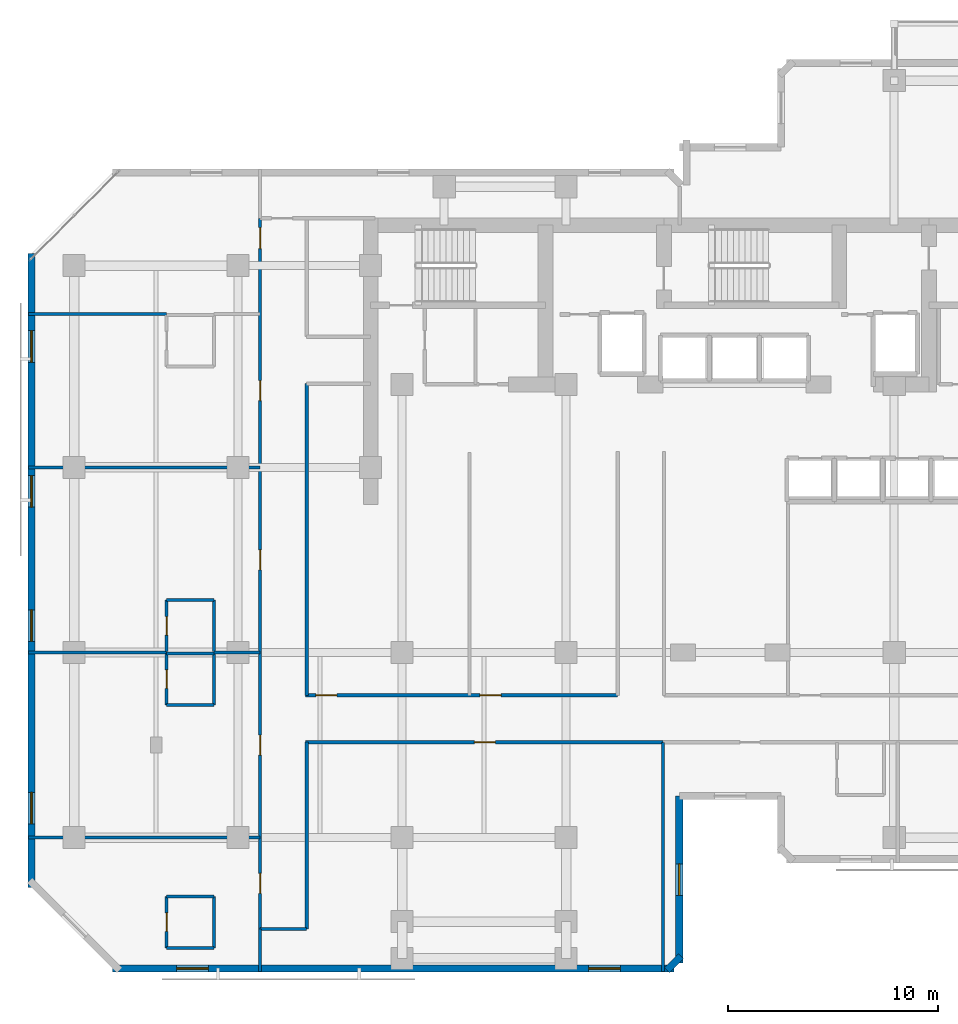
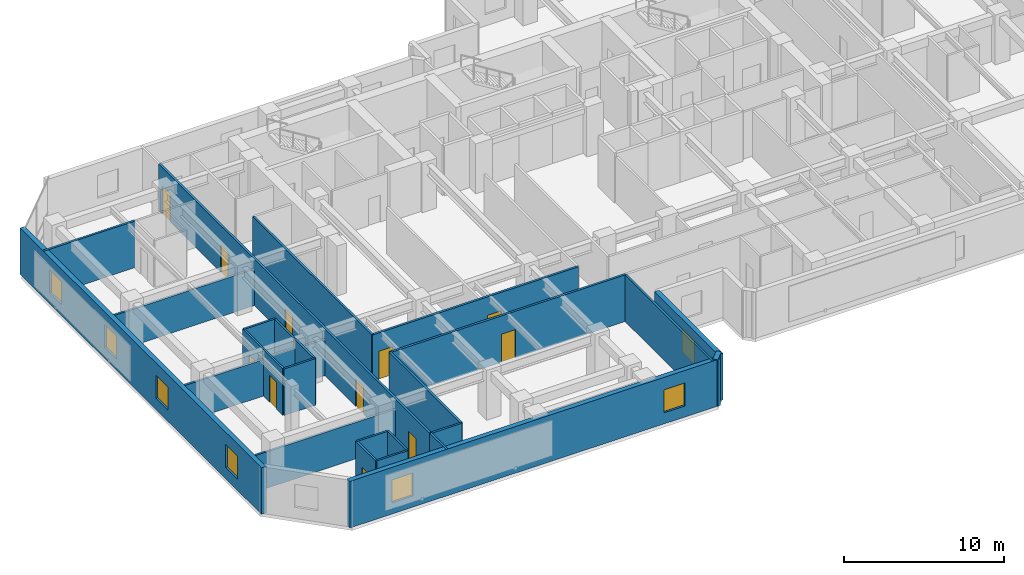
# One storey, part 4 of 10: 28 walls, 11 doors, 7 windows, 18 openings.
"""IFC4 building model written with IfcOpenShell, lengths in metres."""

from ifc_helpers import new_model, si_unit, direction, frame, frame_2d, origin, place, context, subcontext, project, spatial, rectangle, extrude, material, layer, layer_set, type_object, element, fill, save


model = new_model("IFC4")

# Units and contexts
model_context = context("Model", 3, precision=1e-05, world=origin(), true_north=direction((0.0, 1.0)))
body_context = subcontext(model_context, "Body", "Model", "MODEL_VIEW")
ifc_project = project(units=[si_unit("LENGTHUNIT", "METRE"), si_unit("AREAUNIT", "SQUARE_METRE"), si_unit("VOLUMEUNIT", "CUBIC_METRE"), si_unit("PLANEANGLEUNIT", "RADIAN"), si_unit("MASSUNIT", "GRAM", prefix="KILO")], contexts=[model_context])

# Site, building, storey
site_placement = place(None, origin())
site = spatial("IfcSite", under=ifc_project, at=site_placement, CompositionType="ELEMENT")
building_placement = place(site_placement, origin())
building = spatial("IfcBuilding", under=site, at=building_placement, Name="Kestravale Grand Hotel", CompositionType="ELEMENT")
storey_placement = place(building_placement, frame((0.0, 0.0, 149.800048828125)))
storey = spatial("IfcBuildingStorey", under=building, at=storey_placement, Name="L37", CompositionType="ELEMENT", Elevation=149.800048828125)

# Wall, openings, windows
ifc_material_1 = material(Name="Precast concrete f'c 45 MPa", Category="concrete")
ifc_layer_1 = layer(ifc_material_1, 0.340087890625)
ifc_layer_set_1 = layer_set([ifc_layer_1], Name="EW-PREC-340")
wall_type_1 = type_object("IfcWallType", Name="EW-PREC-340", PredefinedType="SOLIDWALL", material=ifc_layer_set_1)
wall_1_placement = place(storey_placement, frame((9.6298828125, 4.969970703125, 0.0), z_axis=(0.0, 0.0, 1.0), x_axis=(1.0, 0.0, 0.0)))
wall_1 = element("IfcWall", 1, at=wall_1_placement, inside=storey, type_object=wall_type_1, Name="L37 fluted precast facade wall 1", PredefinedType="SOLIDWALL", context=body_context, shape_type="SweptSolid", body=[
    extrude(rectangle(XDim=26.690185546875, YDim=0.340087890625, at=frame_2d((13.34521484375, 0.0))), origin(), (0.0, 0.0, 1.0), 3.550048828125),
])
opening_1_placement = place(wall_1_placement, frame((3.04833984375, 0.0, 0.85009765625)))
opening_1 = element("IfcOpeningElement", 2, at=opening_1_placement, cuts=wall_1, Name="Opening W-GUEST-1500", PredefinedType="OPENING", context=body_context, shape_type="SweptSolid", body=[
    extrude(rectangle(XDim=1.5, YDim=1.75, at=frame_2d((0.75, 0.875))), frame((0.0, 0.179931640625, 0.0), z_axis=(0.0, -1.0, 0.0), x_axis=(1.0, 0.0, 0.0)), (0.0, 0.0, 1.0), 0.360107421875),
])
opening_2_placement = place(wall_1_placement, frame((22.6416015625, 0.0, 0.85009765625)))
opening_2 = element("IfcOpeningElement", 3, at=opening_2_placement, cuts=wall_1, Name="Opening W-GUEST-1500", PredefinedType="OPENING", context=body_context, shape_type="SweptSolid", body=[
    extrude(rectangle(XDim=1.5, YDim=1.75, at=frame_2d((0.75, 0.875))), frame((0.0, 0.179931640625, 0.0), z_axis=(0.0, -1.0, 0.0), x_axis=(1.0, 0.0, 0.0)), (0.0, 0.0, 1.0), 0.360107421875),
])
ifc_material_2 = material(Name="Insulated low-E double glazing in aluminium frame", Category="aluminium")
window_type = type_object("IfcWindowType", Name="W-GUEST-1500", PartitioningType="SINGLE_PANEL", PredefinedType="WINDOW", material=ifc_material_2)
window_1_placement = place(opening_1_placement, origin())
window_1 = element("IfcWindow", 4, at=window_1_placement, inside=storey, type_object=window_type, Name="L37 exterior window 1.1", OverallHeight=1.75, OverallWidth=1.5, PartitioningType="SINGLE_PANEL", PredefinedType="WINDOW", context=body_context, shape_type="SweptSolid", body=[
    extrude(rectangle(XDim=1.5, YDim=1.75, at=frame_2d((0.75, 0.875))), frame((0.0, 0.030029296875, 0.0), z_axis=(0.0, -1.0, 0.0), x_axis=(1.0, 0.0, 0.0)), (0.0, 0.0, 1.0), 0.06005859375),
])
fill(opening_1, window_1)
window_2_placement = place(opening_2_placement, origin())
window_2 = element("IfcWindow", 5, at=window_2_placement, inside=storey, type_object=window_type, Name="L37 exterior window 1.2", OverallHeight=1.75, OverallWidth=1.5, PartitioningType="SINGLE_PANEL", PredefinedType="WINDOW", context=body_context, shape_type="SweptSolid", body=[
    extrude(rectangle(XDim=1.5, YDim=1.75, at=frame_2d((0.75, 0.875))), frame((0.0, 0.030029296875, 0.0), z_axis=(0.0, -1.0, 0.0), x_axis=(1.0, 0.0, 0.0)), (0.0, 0.0, 1.0), 0.06005859375),
])
fill(opening_2, window_2)

# Wall
wall_2_placement = place(storey_placement, frame((36.00146484375, 4.891845703125, 0.0), z_axis=(0.0, 0.0, 1.0), x_axis=(0.707106781187, 0.707106781187, 0.0)))
element("IfcWall", 6, at=wall_2_placement, inside=storey, type_object=wall_type_1, Name="L37 fluted precast facade wall 2", PredefinedType="SOLIDWALL", context=body_context, shape_type="SweptSolid", body=[
    extrude(rectangle(XDim=0.9287109375, YDim=0.340087890625, at=frame_2d((0.46435546875, 0.0))), origin(), (0.0, 0.0, 1.0), 3.550048828125),
])

# Wall, opening, window
wall_3_placement = place(storey_placement, frame((36.580078125, 5.22998046875, 0.0), z_axis=(0.0, 0.0, 1.0), x_axis=(0.0, 1.0, 0.0)))
wall_3 = element("IfcWall", 7, at=wall_3_placement, inside=storey, type_object=wall_type_1, Name="L37 fluted precast facade wall 3", PredefinedType="SOLIDWALL", context=body_context, shape_type="SweptSolid", body=[
    extrude(rectangle(XDim=7.93994140625, YDim=0.340087890625, at=frame_2d((3.969970703125, 0.0))), origin(), (0.0, 0.0, 1.0), 3.550048828125),
])
opening_3_placement = place(wall_3_placement, frame((3.219970703125, 0.0, 0.85009765625)))
opening_3 = element("IfcOpeningElement", 8, at=opening_3_placement, cuts=wall_3, Name="Opening W-GUEST-1500", PredefinedType="OPENING", context=body_context, shape_type="SweptSolid", body=[
    extrude(rectangle(XDim=1.5, YDim=1.75, at=frame_2d((0.75, 0.875))), frame((0.0, 0.179931640625, 0.0), z_axis=(0.0, -1.0, 0.0), x_axis=(1.0, 0.0, 0.0)), (0.0, 0.0, 1.0), 0.360107421875),
])
window_3_placement = place(opening_3_placement, origin())
window_3 = element("IfcWindow", 9, at=window_3_placement, inside=storey, type_object=window_type, Name="L37 exterior window 3.1", OverallHeight=1.75, OverallWidth=1.5, PartitioningType="SINGLE_PANEL", PredefinedType="WINDOW", context=body_context, shape_type="SweptSolid", body=[
    extrude(rectangle(XDim=1.5, YDim=1.75, at=frame_2d((0.75, 0.875))), frame((0.0, 0.030029296875, 0.0), z_axis=(0.0, -1.0, 0.0), x_axis=(1.0, 0.0, 0.0)), (0.0, 0.0, 1.0), 0.06005859375),
])
fill(opening_3, window_3)

# Wall, openings, windows
wall_4_placement = place(storey_placement, frame((5.77001953125, 38.969970703125, 0.0), z_axis=(0.0, 0.0, 1.0), x_axis=(0.0, -1.0, 0.0)))
wall_4 = element("IfcWall", 10, at=wall_4_placement, inside=storey, type_object=wall_type_1, Name="L37 fluted precast facade wall 19", PredefinedType="SOLIDWALL", context=body_context, shape_type="SweptSolid", body=[
    extrude(rectangle(XDim=30.139892578125, YDim=0.340087890625, at=frame_2d((15.06982421875, 0.0))), origin(), (0.0, 0.0, 1.0), 3.550048828125),
])
opening_4_placement = place(wall_4_placement, frame((3.66748046875, 0.0, 0.85009765625)))
opening_4 = element("IfcOpeningElement", 11, at=opening_4_placement, cuts=wall_4, Name="Opening W-GUEST-1500", PredefinedType="OPENING", context=body_context, shape_type="SweptSolid", body=[
    extrude(rectangle(XDim=1.5, YDim=1.75, at=frame_2d((0.75, 0.875))), frame((0.0, 0.179931640625, 0.0), z_axis=(0.0, -1.0, 0.0), x_axis=(1.0, 0.0, 0.0)), (0.0, 0.0, 1.0), 0.360107421875),
])
opening_5_placement = place(wall_4_placement, frame((10.552490234375, 0.0, 0.85009765625)))
opening_5 = element("IfcOpeningElement", 12, at=opening_5_placement, cuts=wall_4, Name="Opening W-GUEST-1500", PredefinedType="OPENING", context=body_context, shape_type="SweptSolid", body=[
    extrude(rectangle(XDim=1.5, YDim=1.75, at=frame_2d((0.75, 0.875))), frame((0.0, 0.179931640625, 0.0), z_axis=(0.0, -1.0, 0.0), x_axis=(1.0, 0.0, 0.0)), (0.0, 0.0, 1.0), 0.360107421875),
])
opening_6_placement = place(wall_4_placement, frame((16.9375, 0.0, 0.85009765625)))
opening_6 = element("IfcOpeningElement", 13, at=opening_6_placement, cuts=wall_4, Name="Opening W-GUEST-1500", PredefinedType="OPENING", context=body_context, shape_type="SweptSolid", body=[
    extrude(rectangle(XDim=1.5, YDim=1.75, at=frame_2d((0.75, 0.875))), frame((0.0, 0.179931640625, 0.0), z_axis=(0.0, -1.0, 0.0), x_axis=(1.0, 0.0, 0.0)), (0.0, 0.0, 1.0), 0.360107421875),
])
opening_7_placement = place(wall_4_placement, frame((25.62255859375, 0.0, 0.85009765625)))
opening_7 = element("IfcOpeningElement", 14, at=opening_7_placement, cuts=wall_4, Name="Opening W-GUEST-1500", PredefinedType="OPENING", context=body_context, shape_type="SweptSolid", body=[
    extrude(rectangle(XDim=1.5, YDim=1.75, at=frame_2d((0.75, 0.875))), frame((0.0, 0.179931640625, 0.0), z_axis=(0.0, -1.0, 0.0), x_axis=(1.0, 0.0, 0.0)), (0.0, 0.0, 1.0), 0.360107421875),
])
window_4_placement = place(opening_4_placement, origin())
window_4 = element("IfcWindow", 15, at=window_4_placement, inside=storey, type_object=window_type, Name="L37 exterior window 19.1", OverallHeight=1.75, OverallWidth=1.5, PartitioningType="SINGLE_PANEL", PredefinedType="WINDOW", context=body_context, shape_type="SweptSolid", body=[
    extrude(rectangle(XDim=1.5, YDim=1.75, at=frame_2d((0.75, 0.875))), frame((0.0, 0.030029296875, 0.0), z_axis=(0.0, -1.0, 0.0), x_axis=(1.0, 0.0, 0.0)), (0.0, 0.0, 1.0), 0.06005859375),
])
fill(opening_4, window_4)
window_5_placement = place(opening_5_placement, origin())
window_5 = element("IfcWindow", 16, at=window_5_placement, inside=storey, type_object=window_type, Name="L37 exterior window 19.2", OverallHeight=1.75, OverallWidth=1.5, PartitioningType="SINGLE_PANEL", PredefinedType="WINDOW", context=body_context, shape_type="SweptSolid", body=[
    extrude(rectangle(XDim=1.5, YDim=1.75, at=frame_2d((0.75, 0.875))), frame((0.0, 0.030029296875, 0.0), z_axis=(0.0, -1.0, 0.0), x_axis=(1.0, 0.0, 0.0)), (0.0, 0.0, 1.0), 0.06005859375),
])
fill(opening_5, window_5)
window_6_placement = place(opening_6_placement, origin())
window_6 = element("IfcWindow", 17, at=window_6_placement, inside=storey, type_object=window_type, Name="L37 exterior window 19.3", OverallHeight=1.75, OverallWidth=1.5, PartitioningType="SINGLE_PANEL", PredefinedType="WINDOW", context=body_context, shape_type="SweptSolid", body=[
    extrude(rectangle(XDim=1.5, YDim=1.75, at=frame_2d((0.75, 0.875))), frame((0.0, 0.030029296875, 0.0), z_axis=(0.0, -1.0, 0.0), x_axis=(1.0, 0.0, 0.0)), (0.0, 0.0, 1.0), 0.06005859375),
])
fill(opening_6, window_6)
window_7_placement = place(opening_7_placement, origin())
window_7 = element("IfcWindow", 18, at=window_7_placement, inside=storey, type_object=window_type, Name="L37 exterior window 19.4", OverallHeight=1.75, OverallWidth=1.5, PartitioningType="SINGLE_PANEL", PredefinedType="WINDOW", context=body_context, shape_type="SweptSolid", body=[
    extrude(rectangle(XDim=1.5, YDim=1.75, at=frame_2d((0.75, 0.875))), frame((0.0, 0.030029296875, 0.0), z_axis=(0.0, -1.0, 0.0), x_axis=(1.0, 0.0, 0.0)), (0.0, 0.0, 1.0), 0.06005859375),
])
fill(opening_7, window_7)

# Wall, openings, doors
ifc_material_3 = material(Name="Acoustic fire-rated gypsum board partition", Category="other")
ifc_layer_2 = layer(ifc_material_3, 0.159912109375)
ifc_layer_set_2 = layer_set([ifc_layer_2], Name="IW-CORR-160")
wall_type_2 = type_object("IfcWallType", Name="IW-CORR-160", PredefinedType="PARTITIONING", material=ifc_layer_set_2)
wall_5_placement = place(storey_placement, frame((18.800048828125, 17.9599609375, 0.0), z_axis=(0.0, 0.0, 1.0), x_axis=(1.0, 0.0, 0.0)))
wall_5 = element("IfcWall", 19, at=wall_5_placement, inside=storey, type_object=wall_type_2, Name="W-L37-CW-N", PredefinedType="PARTITIONING", context=body_context, shape_type="SweptSolid", body=[
    extrude(rectangle(XDim=14.849853515625, YDim=0.159912109375, at=frame_2d((7.4248046875, 0.0))), origin(), (0.0, 0.0, 1.0), 3.550048828125),
])
opening_8_placement = place(wall_5_placement, frame((0.5, 0.0, 0.0)))
opening_8 = element("IfcOpeningElement", 20, at=opening_8_placement, cuts=wall_5, Name="Opening D-GUEST-1000", PredefinedType="OPENING", context=body_context, shape_type="SweptSolid", body=[
    extrude(rectangle(XDim=1.0, YDim=2.14990234375, at=frame_2d((0.5, 1.074951171875))), frame((0.0, 0.08984375, 0.0), z_axis=(0.0, -1.0, 0.0), x_axis=(1.0, 0.0, 0.0)), (0.0, 0.0, 1.0), 0.179931640625),
])
opening_9_placement = place(wall_5_placement, frame((8.300048828125, 0.0, 0.0)))
opening_9 = element("IfcOpeningElement", 21, at=opening_9_placement, cuts=wall_5, Name="Opening D-GUEST-1000", PredefinedType="OPENING", context=body_context, shape_type="SweptSolid", body=[
    extrude(rectangle(XDim=1.0, YDim=2.14990234375, at=frame_2d((0.5, 1.074951171875))), frame((0.0, 0.08984375, 0.0), z_axis=(0.0, -1.0, 0.0), x_axis=(1.0, 0.0, 0.0)), (0.0, 0.0, 1.0), 0.179931640625),
])
ifc_material_4 = material(Name="Accessible walnut veneer hotel entrance fire door", Category="wood")
door_type_1 = type_object("IfcDoorType", Name="D-GUEST-1000", OperationType="NOTDEFINED", PredefinedType="DOOR", material=ifc_material_4)
door_1_placement = place(opening_8_placement, origin())
door_1 = element("IfcDoor", 22, at=door_1_placement, inside=storey, type_object=door_type_1, Name="D-L37-RECL-W1", OperationType="SINGLE_SWING_LEFT", OverallHeight=2.14990234375, OverallWidth=1.0, PredefinedType="DOOR", context=body_context, shape_type="SweptSolid", body=[
    extrude(rectangle(XDim=1.0, YDim=2.14990234375, at=frame_2d((0.5, 1.074951171875))), frame((0.0, 0.02490234375, 0.0), z_axis=(0.0, -1.0, 0.0), x_axis=(1.0, 0.0, 0.0)), (0.0, 0.0, 1.0), 0.050048828125),
])
fill(opening_8, door_1)
door_2_placement = place(opening_9_placement, origin())
door_2 = element("IfcDoor", 23, at=door_2_placement, inside=storey, type_object=door_type_1, Name="D-L37-RECL-W2", OperationType="SINGLE_SWING_RIGHT", OverallHeight=2.14990234375, OverallWidth=1.0, PredefinedType="DOOR", context=body_context, shape_type="SweptSolid", body=[
    extrude(rectangle(XDim=1.0, YDim=2.14990234375, at=frame_2d((0.5, 1.074951171875))), frame((0.0, 0.02490234375, 0.0), z_axis=(0.0, -1.0, 0.0), x_axis=(1.0, 0.0, 0.0)), (0.0, 0.0, 1.0), 0.050048828125),
])
fill(opening_9, door_2)

# Wall, opening, door
wall_6_placement = place(storey_placement, frame((18.800048828125, 15.739990234375, 0.0), z_axis=(0.0, 0.0, 1.0), x_axis=(1.0, 0.0, 0.0)))
wall_6 = element("IfcWall", 24, at=wall_6_placement, inside=storey, type_object=wall_type_2, Name="W-L37-CW-S", PredefinedType="PARTITIONING", context=body_context, shape_type="SweptSolid", body=[
    extrude(rectangle(XDim=17.0, YDim=0.159912109375, at=frame_2d((8.5, 0.0))), origin(), (0.0, 0.0, 1.0), 3.550048828125),
])
opening_10_placement = place(wall_6_placement, frame((8.030029296875, 0.0, 0.0)))
opening_10 = element("IfcOpeningElement", 25, at=opening_10_placement, cuts=wall_6, Name="Opening D-GUEST-1000", PredefinedType="OPENING", context=body_context, shape_type="SweptSolid", body=[
    extrude(rectangle(XDim=1.0, YDim=2.14990234375, at=frame_2d((0.5, 1.074951171875))), frame((0.0, 0.08984375, 0.0), z_axis=(0.0, -1.0, 0.0), x_axis=(1.0, 0.0, 0.0)), (0.0, 0.0, 1.0), 0.179931640625),
])
door_3_placement = place(opening_10_placement, origin())
door_3 = element("IfcDoor", 26, at=door_3_placement, inside=storey, type_object=door_type_1, Name="D-L37-AMW", OperationType="SINGLE_SWING_LEFT", OverallHeight=2.14990234375, OverallWidth=1.0, PredefinedType="DOOR", context=body_context, shape_type="SweptSolid", body=[
    extrude(rectangle(XDim=1.0, YDim=2.14990234375, at=frame_2d((0.5, 1.074951171875))), frame((0.0, 0.02490234375, 0.0), z_axis=(0.0, -1.0, 0.0), x_axis=(1.0, 0.0, 0.0)), (0.0, 0.0, 1.0), 0.050048828125),
])
fill(opening_10, door_3)

# Wall, openings, doors
wall_7_placement = place(storey_placement, frame((16.639892578125, 6.85009765625, 0.0), z_axis=(0.0, 0.0, 1.0), x_axis=(0.0, 1.0, 0.0)))
wall_7 = element("IfcWall", 27, at=wall_7_placement, inside=storey, type_object=wall_type_2, Name="W-L37-SW-W", PredefinedType="PARTITIONING", context=body_context, shape_type="SweptSolid", body=[
    extrude(rectangle(XDim=33.7998046875, YDim=0.159912109375, at=frame_2d((16.89990234375, 0.0))), origin(), (0.0, 0.0, 1.0), 3.550048828125),
])
opening_11_placement = place(wall_7_placement, frame((1.699951171875, 0.0, 0.0)))
opening_11 = element("IfcOpeningElement", 28, at=opening_11_placement, cuts=wall_7, Name="Opening D-GUEST-950", PredefinedType="OPENING", context=body_context, shape_type="SweptSolid", body=[
    extrude(rectangle(XDim=0.949951171875, YDim=2.10009765625, at=frame_2d((0.47509765625, 1.050048828125))), frame((0.0, 0.08984375, 0.0), z_axis=(0.0, -1.0, 0.0), x_axis=(1.0, 0.0, 0.0)), (0.0, 0.0, 1.0), 0.179931640625),
])
opening_12_placement = place(wall_7_placement, frame((8.27490234375, 0.0, 0.0)))
opening_12 = element("IfcOpeningElement", 29, at=opening_12_placement, cuts=wall_7, Name="Opening D-GUEST-950", PredefinedType="OPENING", context=body_context, shape_type="SweptSolid", body=[
    extrude(rectangle(XDim=0.949951171875, YDim=2.10009765625, at=frame_2d((0.47509765625, 1.050048828125))), frame((0.0, 0.08984375, 0.0), z_axis=(0.0, -1.0, 0.0), x_axis=(1.0, 0.0, 0.0)), (0.0, 0.0, 1.0), 0.179931640625),
])
opening_13_placement = place(wall_7_placement, frame((17.074951171875, 0.0, 0.0)))
opening_13 = element("IfcOpeningElement", 30, at=opening_13_placement, cuts=wall_7, Name="Opening D-GUEST-950", PredefinedType="OPENING", context=body_context, shape_type="SweptSolid", body=[
    extrude(rectangle(XDim=0.949951171875, YDim=2.10009765625, at=frame_2d((0.47509765625, 1.050048828125))), frame((0.0, 0.08984375, 0.0), z_axis=(0.0, -1.0, 0.0), x_axis=(1.0, 0.0, 0.0)), (0.0, 0.0, 1.0), 0.179931640625),
])
opening_14_placement = place(wall_7_placement, frame((25.125, 0.0, 0.0)))
opening_14 = element("IfcOpeningElement", 31, at=opening_14_placement, cuts=wall_7, Name="Opening D-GUEST-950", PredefinedType="OPENING", context=body_context, shape_type="SweptSolid", body=[
    extrude(rectangle(XDim=0.949951171875, YDim=2.10009765625, at=frame_2d((0.47509765625, 1.050048828125))), frame((0.0, 0.08984375, 0.0), z_axis=(0.0, -1.0, 0.0), x_axis=(1.0, 0.0, 0.0)), (0.0, 0.0, 1.0), 0.179931640625),
])
opening_15_placement = place(wall_7_placement, frame((32.360107421875, 0.0, 0.0)))
opening_15 = element("IfcOpeningElement", 32, at=opening_15_placement, cuts=wall_7, Name="Opening D-GUEST-1000", PredefinedType="OPENING", context=body_context, shape_type="SweptSolid", body=[
    extrude(rectangle(XDim=1.0, YDim=2.14990234375, at=frame_2d((0.5, 1.074951171875))), frame((0.0, 0.08984375, 0.0), z_axis=(0.0, -1.0, 0.0), x_axis=(1.0, 0.0, 0.0)), (0.0, 0.0, 1.0), 0.179931640625),
])
door_4_placement = place(opening_15_placement, origin())
door_4 = element("IfcDoor", 33, at=door_4_placement, inside=storey, type_object=door_type_1, Name="D-L37-AMWW", OperationType="SINGLE_SWING_LEFT", OverallHeight=2.14990234375, OverallWidth=1.0, PredefinedType="DOOR", context=body_context, shape_type="SweptSolid", body=[
    extrude(rectangle(XDim=1.0, YDim=2.14990234375, at=frame_2d((0.5, 1.074951171875))), frame((0.0, 0.02490234375, 0.0), z_axis=(0.0, -1.0, 0.0), x_axis=(1.0, 0.0, 0.0)), (0.0, 0.0, 1.0), 0.050048828125),
])
fill(opening_15, door_4)
ifc_material_5 = material(Name="Walnut veneer hotel guestroom entrance fire door", Category="wood")
door_type_2 = type_object("IfcDoorType", Name="D-GUEST-950", OperationType="NOTDEFINED", PredefinedType="DOOR", material=ifc_material_5)
door_5_placement = place(opening_11_placement, origin())
door_5 = element("IfcDoor", 34, at=door_5_placement, inside=storey, type_object=door_type_2, Name="D-L37-U02-ENT", OperationType="SINGLE_SWING_RIGHT", OverallHeight=2.10009765625, OverallWidth=0.949951171875, PredefinedType="DOOR", context=body_context, shape_type="SweptSolid", body=[
    extrude(rectangle(XDim=0.949951171875, YDim=2.10009765625, at=frame_2d((0.47509765625, 1.050048828125))), frame((0.0, 0.02490234375, 0.0), z_axis=(0.0, -1.0, 0.0), x_axis=(1.0, 0.0, 0.0)), (0.0, 0.0, 1.0), 0.050048828125),
])
fill(opening_11, door_5)
door_6_placement = place(opening_12_placement, origin())
door_6 = element("IfcDoor", 35, at=door_6_placement, inside=storey, type_object=door_type_2, Name="D-L37-U03-ENT", OperationType="SINGLE_SWING_RIGHT", OverallHeight=2.10009765625, OverallWidth=0.949951171875, PredefinedType="DOOR", context=body_context, shape_type="SweptSolid", body=[
    extrude(rectangle(XDim=0.949951171875, YDim=2.10009765625, at=frame_2d((0.47509765625, 1.050048828125))), frame((0.0, 0.02490234375, 0.0), z_axis=(0.0, -1.0, 0.0), x_axis=(1.0, 0.0, 0.0)), (0.0, 0.0, 1.0), 0.050048828125),
])
fill(opening_12, door_6)
door_7_placement = place(opening_13_placement, origin())
door_7 = element("IfcDoor", 36, at=door_7_placement, inside=storey, type_object=door_type_2, Name="D-L37-U04-ENT", OperationType="SINGLE_SWING_RIGHT", OverallHeight=2.10009765625, OverallWidth=0.949951171875, PredefinedType="DOOR", context=body_context, shape_type="SweptSolid", body=[
    extrude(rectangle(XDim=0.949951171875, YDim=2.10009765625, at=frame_2d((0.47509765625, 1.050048828125))), frame((0.0, 0.02490234375, 0.0), z_axis=(0.0, -1.0, 0.0), x_axis=(1.0, 0.0, 0.0)), (0.0, 0.0, 1.0), 0.050048828125),
])
fill(opening_13, door_7)
door_8_placement = place(opening_14_placement, origin())
door_8 = element("IfcDoor", 37, at=door_8_placement, inside=storey, type_object=door_type_2, Name="D-L37-U05-ENT", OperationType="SINGLE_SWING_RIGHT", OverallHeight=2.10009765625, OverallWidth=0.949951171875, PredefinedType="DOOR", context=body_context, shape_type="SweptSolid", body=[
    extrude(rectangle(XDim=0.949951171875, YDim=2.10009765625, at=frame_2d((0.47509765625, 1.050048828125))), frame((0.0, 0.02490234375, 0.0), z_axis=(0.0, -1.0, 0.0), x_axis=(1.0, 0.0, 0.0)), (0.0, 0.0, 1.0), 0.050048828125),
])
fill(opening_14, door_8)

# Wall
wall_8_placement = place(storey_placement, frame((18.860107421875, 6.85009765625, 0.0), z_axis=(0.0, 0.0, 1.0), x_axis=(0.0, 1.0, 0.0)))
element("IfcWall", 38, at=wall_8_placement, inside=storey, type_object=wall_type_2, Name="W-L37-SW-E", PredefinedType="PARTITIONING", context=body_context, shape_type="SweptSolid", body=[
    extrude(rectangle(XDim=8.889892578125, YDim=0.159912109375, at=frame_2d((4.44482421875, 0.0))), origin(), (0.0, 0.0, 1.0), 3.550048828125),
])

# Wall, opening, door
ifc_material_6 = material(Name="Moisture-resistant tile-backer plumbing chase wall", Category="other")
ifc_layer_3 = layer(ifc_material_6, 0.139892578125)
ifc_layer_set_3 = layer_set([ifc_layer_3], Name="IW-PLB-140")
wall_type_3 = type_object("IfcWallType", Name="IW-PLB-140", PredefinedType="PLUMBINGWALL", material=ifc_layer_set_3)
wall_9_placement = place(storey_placement, frame((12.199951171875, 5.949951171875, 0.0), z_axis=(0.0, 0.0, 1.0), x_axis=(0.0, 1.0, 0.0)))
wall_9 = element("IfcWall", 39, at=wall_9_placement, inside=storey, type_object=wall_type_3, Name="W-L37-U02-BW", PredefinedType="PLUMBINGWALL", context=body_context, shape_type="SweptSolid", body=[
    extrude(rectangle(XDim=2.449951171875, YDim=0.139892578125, at=frame_2d((1.22509765625, 0.0))), origin(), (0.0, 0.0, 1.0), 3.550048828125),
])
opening_16_placement = place(wall_9_placement, frame((0.784912109375, 0.0, 0.0)))
opening_16 = element("IfcOpeningElement", 40, at=opening_16_placement, cuts=wall_9, Name="Opening D-BATH-880", PredefinedType="OPENING", context=body_context, shape_type="SweptSolid", body=[
    extrude(rectangle(XDim=0.8798828125, YDim=2.050048828125, at=frame_2d((0.43994140625, 1.02490234375))), frame((0.0, 0.079833984375, 0.0), z_axis=(0.0, -1.0, 0.0), x_axis=(1.0, 0.0, 0.0)), (0.0, 0.0, 1.0), 0.159912109375),
])
ifc_material_7 = material(Name="Moisture-sealed walnut en-suite bathroom door", Category="wood")
door_type_3 = type_object("IfcDoorType", Name="D-BATH-880", OperationType="NOTDEFINED", PredefinedType="DOOR", material=ifc_material_7)
door_9_placement = place(opening_16_placement, origin())
door_9 = element("IfcDoor", 41, at=door_9_placement, inside=storey, type_object=door_type_3, Name="D-L37-U02-BATH", OperationType="SINGLE_SWING_LEFT", OverallHeight=2.050048828125, OverallWidth=0.8798828125, PredefinedType="DOOR", context=body_context, shape_type="SweptSolid", body=[
    extrude(rectangle(XDim=0.8798828125, YDim=2.050048828125, at=frame_2d((0.43994140625, 1.02490234375))), frame((0.0, 0.02490234375, 0.0), z_axis=(0.0, -1.0, 0.0), x_axis=(1.0, 0.0, 0.0)), (0.0, 0.0, 1.0), 0.050048828125),
])
fill(opening_16, door_9)

# Walls
wall_10_placement = place(storey_placement, frame((14.449951171875, 5.949951171875, 0.0), z_axis=(0.0, 0.0, 1.0), x_axis=(0.0, 1.0, 0.0)))
element("IfcWall", 42, at=wall_10_placement, inside=storey, type_object=wall_type_3, Name="W-L37-U02-BE", PredefinedType="PLUMBINGWALL", context=body_context, shape_type="SweptSolid", body=[
    extrude(rectangle(XDim=2.449951171875, YDim=0.139892578125, at=frame_2d((1.22509765625, 0.0))), origin(), (0.0, 0.0, 1.0), 3.550048828125),
])
for number, where, z_axis, x_axis, name in (
    (43, (12.199951171875, 5.949951171875, 0.0), (0.0, 0.0, 1.0), (1.0, 0.0, 0.0), "W-L37-U02-BS"),
    (44, (12.199951171875, 8.39990234375, 0.0), (0.0, 0.0, 1.0), (1.0, 0.0, 0.0), "W-L37-U02-BN"),
):
    element("IfcWall", number, at=place(storey_placement, frame(where, z_axis=z_axis, x_axis=x_axis)), inside=storey, type_object=wall_type_3, Name=name, PredefinedType="PLUMBINGWALL", context=body_context, shape_type="SweptSolid", body=[
        extrude(rectangle(XDim=2.25, YDim=0.139892578125, at=frame_2d((1.125, 0.0))), origin(), (0.0, 0.0, 1.0), 3.550048828125),
    ])

# Wall, opening, door
wall_11_placement = place(storey_placement, frame((12.199951171875, 17.510009765625, 0.0), z_axis=(0.0, 0.0, 1.0), x_axis=(0.0, 1.0, 0.0)))
wall_11 = element("IfcWall", 45, at=wall_11_placement, inside=storey, type_object=wall_type_3, Name="W-L37-U03-BW", PredefinedType="PLUMBINGWALL", context=body_context, shape_type="SweptSolid", body=[
    extrude(rectangle(XDim=2.449951171875, YDim=0.139892578125, at=frame_2d((1.22509765625, 0.0))), origin(), (0.0, 0.0, 1.0), 3.550048828125),
])
opening_17_placement = place(wall_11_placement, frame((0.784912109375, 0.0, 0.0)))
opening_17 = element("IfcOpeningElement", 46, at=opening_17_placement, cuts=wall_11, Name="Opening D-BATH-880", PredefinedType="OPENING", context=body_context, shape_type="SweptSolid", body=[
    extrude(rectangle(XDim=0.8798828125, YDim=2.050048828125, at=frame_2d((0.43994140625, 1.02490234375))), frame((0.0, 0.079833984375, 0.0), z_axis=(0.0, -1.0, 0.0), x_axis=(1.0, 0.0, 0.0)), (0.0, 0.0, 1.0), 0.159912109375),
])
door_10_placement = place(opening_17_placement, origin())
door_10 = element("IfcDoor", 47, at=door_10_placement, inside=storey, type_object=door_type_3, Name="D-L37-U03-BATH", OperationType="SINGLE_SWING_LEFT", OverallHeight=2.050048828125, OverallWidth=0.8798828125, PredefinedType="DOOR", context=body_context, shape_type="SweptSolid", body=[
    extrude(rectangle(XDim=0.8798828125, YDim=2.050048828125, at=frame_2d((0.43994140625, 1.02490234375))), frame((0.0, 0.02490234375, 0.0), z_axis=(0.0, -1.0, 0.0), x_axis=(1.0, 0.0, 0.0)), (0.0, 0.0, 1.0), 0.050048828125),
])
fill(opening_17, door_10)

# Walls
wall_12_placement = place(storey_placement, frame((14.449951171875, 17.510009765625, 0.0), z_axis=(0.0, 0.0, 1.0), x_axis=(0.0, 1.0, 0.0)))
element("IfcWall", 48, at=wall_12_placement, inside=storey, type_object=wall_type_3, Name="W-L37-U03-BE", PredefinedType="PLUMBINGWALL", context=body_context, shape_type="SweptSolid", body=[
    extrude(rectangle(XDim=2.449951171875, YDim=0.139892578125, at=frame_2d((1.22509765625, 0.0))), origin(), (0.0, 0.0, 1.0), 3.550048828125),
])
wall_13_placement = place(storey_placement, frame((12.199951171875, 17.510009765625, 0.0), z_axis=(0.0, 0.0, 1.0), x_axis=(1.0, 0.0, 0.0)))
element("IfcWall", 49, at=wall_13_placement, inside=storey, type_object=wall_type_3, Name="W-L37-U03-BS", PredefinedType="PLUMBINGWALL", context=body_context, shape_type="SweptSolid", body=[
    extrude(rectangle(XDim=2.25, YDim=0.139892578125, at=frame_2d((1.125, 0.0))), origin(), (0.0, 0.0, 1.0), 3.550048828125),
])
wall_14_placement = place(storey_placement, frame((12.199951171875, 19.9599609375, 0.0), z_axis=(0.0, 0.0, 1.0), x_axis=(1.0, 0.0, 0.0)))
element("IfcWall", 50, at=wall_14_placement, inside=storey, type_object=wall_type_3, Name="W-L37-U03-BN", PredefinedType="PLUMBINGWALL", context=body_context, shape_type="SweptSolid", body=[
    extrude(rectangle(XDim=2.25, YDim=0.139892578125, at=frame_2d((1.125, 0.0))), origin(), (0.0, 0.0, 1.0), 2.89990234375),
])

# Wall, opening, door
wall_15_placement = place(storey_placement, frame((12.199951171875, 20.0400390625, 0.0), z_axis=(0.0, 0.0, 1.0), x_axis=(0.0, 1.0, 0.0)))
wall_15 = element("IfcWall", 51, at=wall_15_placement, inside=storey, type_object=wall_type_3, Name="W-L37-U04-BW", PredefinedType="PLUMBINGWALL", context=body_context, shape_type="SweptSolid", body=[
    extrude(rectangle(XDim=2.449951171875, YDim=0.139892578125, at=frame_2d((1.22509765625, 0.0))), origin(), (0.0, 0.0, 1.0), 3.550048828125),
])
opening_18_placement = place(wall_15_placement, frame((0.784912109375, 0.0, 0.0)))
opening_18 = element("IfcOpeningElement", 52, at=opening_18_placement, cuts=wall_15, Name="Opening D-BATH-880", PredefinedType="OPENING", context=body_context, shape_type="SweptSolid", body=[
    extrude(rectangle(XDim=0.8798828125, YDim=2.050048828125, at=frame_2d((0.43994140625, 1.02490234375))), frame((0.0, 0.079833984375, 0.0), z_axis=(0.0, -1.0, 0.0), x_axis=(1.0, 0.0, 0.0)), (0.0, 0.0, 1.0), 0.159912109375),
])
door_11_placement = place(opening_18_placement, origin())
door_11 = element("IfcDoor", 53, at=door_11_placement, inside=storey, type_object=door_type_3, Name="D-L37-U04-BATH", OperationType="SINGLE_SWING_LEFT", OverallHeight=2.050048828125, OverallWidth=0.8798828125, PredefinedType="DOOR", context=body_context, shape_type="SweptSolid", body=[
    extrude(rectangle(XDim=0.8798828125, YDim=2.050048828125, at=frame_2d((0.43994140625, 1.02490234375))), frame((0.0, 0.02490234375, 0.0), z_axis=(0.0, -1.0, 0.0), x_axis=(1.0, 0.0, 0.0)), (0.0, 0.0, 1.0), 0.050048828125),
])
fill(opening_18, door_11)

# Walls
wall_16_placement = place(storey_placement, frame((14.449951171875, 20.0400390625, 0.0), z_axis=(0.0, 0.0, 1.0), x_axis=(0.0, 1.0, 0.0)))
element("IfcWall", 54, at=wall_16_placement, inside=storey, type_object=wall_type_3, Name="W-L37-U04-BE", PredefinedType="PLUMBINGWALL", context=body_context, shape_type="SweptSolid", body=[
    extrude(rectangle(XDim=2.449951171875, YDim=0.139892578125, at=frame_2d((1.22509765625, 0.0))), origin(), (0.0, 0.0, 1.0), 3.550048828125),
])
wall_17_placement = place(storey_placement, frame((12.199951171875, 22.489990234375, 0.0), z_axis=(0.0, 0.0, 1.0), x_axis=(1.0, 0.0, 0.0)))
element("IfcWall", 55, at=wall_17_placement, inside=storey, type_object=wall_type_3, Name="W-L37-U04-BN", PredefinedType="PLUMBINGWALL", context=body_context, shape_type="SweptSolid", body=[
    extrude(rectangle(XDim=2.25, YDim=0.139892578125, at=frame_2d((1.125, 0.0))), origin(), (0.0, 0.0, 1.0), 3.550048828125),
])
ifc_material_8 = material(Name="Double-stud STC 52 acoustic demising partition", Category="other")
ifc_layer_4 = layer(ifc_material_8, 0.14990234375)
ifc_layer_set_4 = layer_set([ifc_layer_4], Name="IW-UNIT-150")
wall_type_4 = type_object("IfcWallType", Name="IW-UNIT-150", PredefinedType="PARTITIONING", material=ifc_layer_set_4)
wall_18_placement = place(storey_placement, frame((16.639892578125, 6.85009765625, 0.0), z_axis=(0.0, 0.0, 1.0), x_axis=(1.0, 0.0, 0.0)))
element("IfcWall", 56, at=wall_18_placement, inside=storey, type_object=wall_type_4, Name="W-L37-SW-S", PredefinedType="PARTITIONING", context=body_context, shape_type="SweptSolid", body=[
    extrude(rectangle(XDim=2.22021484375, YDim=0.14990234375, at=frame_2d((1.110107421875, 0.0))), origin(), (0.0, 0.0, 1.0), 3.550048828125),
])
wall_19_placement = place(storey_placement, frame((18.860107421875, 17.9599609375, 0.0), z_axis=(0.0, 0.0, 1.0), x_axis=(0.0, 1.0, 0.0)))
element("IfcWall", 57, at=wall_19_placement, inside=storey, type_object=wall_type_4, Name="W-L37-RCLW-W", PredefinedType="PARTITIONING", context=body_context, shape_type="SweptSolid", body=[
    extrude(rectangle(XDim=14.840087890625, YDim=0.14990234375, at=frame_2d((7.419921875, 0.0))), origin(), (0.0, 0.0, 1.0), 3.550048828125),
])
wall_20_placement = place(storey_placement, frame((35.800048828125, 4.820068359375, 0.0), z_axis=(0.0, 0.0, 1.0), x_axis=(0.0, 1.0, 0.0)))
element("IfcWall", 58, at=wall_20_placement, inside=storey, type_object=wall_type_4, Name="W-L37-MID-S", PredefinedType="PARTITIONING", context=body_context, shape_type="SweptSolid", body=[
    extrude(rectangle(XDim=10.89990234375, YDim=0.14990234375, at=frame_2d((5.449951171875, 0.0))), origin(), (0.0, 0.0, 1.0), 3.550048828125),
])
wall_21_placement = place(storey_placement, frame((16.639892578125, 4.820068359375, 0.0), z_axis=(0.0, 0.0, 1.0), x_axis=(0.0, 1.0, 0.0)))
element("IfcWall", 59, at=wall_21_placement, inside=storey, type_object=wall_type_4, Name="W-L37-SW-EXT", PredefinedType="PARTITIONING", context=body_context, shape_type="SweptSolid", body=[
    extrude(rectangle(XDim=2.030029296875, YDim=0.14990234375, at=frame_2d((1.01513671875, 0.0))), origin(), (0.0, 0.0, 1.0), 3.550048828125),
])
wall_22_placement = place(storey_placement, frame((5.6201171875, 11.199951171875, 0.0), z_axis=(0.0, 0.0, 1.0), x_axis=(1.0, 0.0, 0.0)))
element("IfcWall", 60, at=wall_22_placement, inside=storey, type_object=wall_type_4, Name="W-L37-WW-1", PredefinedType="PARTITIONING", context=body_context, shape_type="SweptSolid", body=[
    extrude(rectangle(XDim=11.019775390625, YDim=0.14990234375, at=frame_2d((5.509765625, 0.0))), origin(), (0.0, 0.0, 1.0), 2.77783203125),
])
wall_23_placement = place(storey_placement, frame((5.6201171875, 20.0, 0.0), z_axis=(0.0, 0.0, 1.0), x_axis=(1.0, 0.0, 0.0)))
element("IfcWall", 61, at=wall_23_placement, inside=storey, type_object=wall_type_4, Name="W-L37-WW-2", PredefinedType="PARTITIONING", context=body_context, shape_type="SweptSolid", body=[
    extrude(rectangle(XDim=6.579833984375, YDim=0.14990234375, at=frame_2d((3.2900390625, 0.0))), origin(), (0.0, 0.0, 1.0), 2.77783203125),
])
wall_24_placement = place(storey_placement, frame((14.449951171875, 20.0, 0.0), z_axis=(0.0, 0.0, 1.0), x_axis=(1.0, 0.0, 0.0)))
element("IfcWall", 62, at=wall_24_placement, inside=storey, type_object=wall_type_4, Name="W-L37-WW-2", PredefinedType="PARTITIONING", context=body_context, shape_type="SweptSolid", body=[
    extrude(rectangle(XDim=2.18994140625, YDim=0.14990234375, at=frame_2d((1.094970703125, 0.0))), origin(), (0.0, 0.0, 1.0), 2.77783203125),
])
wall_25_placement = place(storey_placement, frame((5.6201171875, 28.800048828125, 0.0), z_axis=(0.0, 0.0, 1.0), x_axis=(1.0, 0.0, 0.0)))
element("IfcWall", 63, at=wall_25_placement, inside=storey, type_object=wall_type_4, Name="W-L37-WW-3", PredefinedType="PARTITIONING", context=body_context, shape_type="SweptSolid", body=[
    extrude(rectangle(XDim=11.019775390625, YDim=0.14990234375, at=frame_2d((5.509765625, 0.0))), origin(), (0.0, 0.0, 1.0), 2.77783203125),
])
wall_26_placement = place(storey_placement, frame((5.6201171875, 36.10009765625, 0.0), z_axis=(0.0, 0.0, 1.0), x_axis=(1.0, 0.0, 0.0)))
element("IfcWall", 64, at=wall_26_placement, inside=storey, type_object=wall_type_4, Name="W-L37-WW-4", PredefinedType="PARTITIONING", context=body_context, shape_type="SweptSolid", body=[
    extrude(rectangle(XDim=6.579833984375, YDim=0.14990234375, at=frame_2d((3.2900390625, 0.0))), origin(), (0.0, 0.0, 1.0), 3.550048828125),
])

save(model, "model.ifc")
